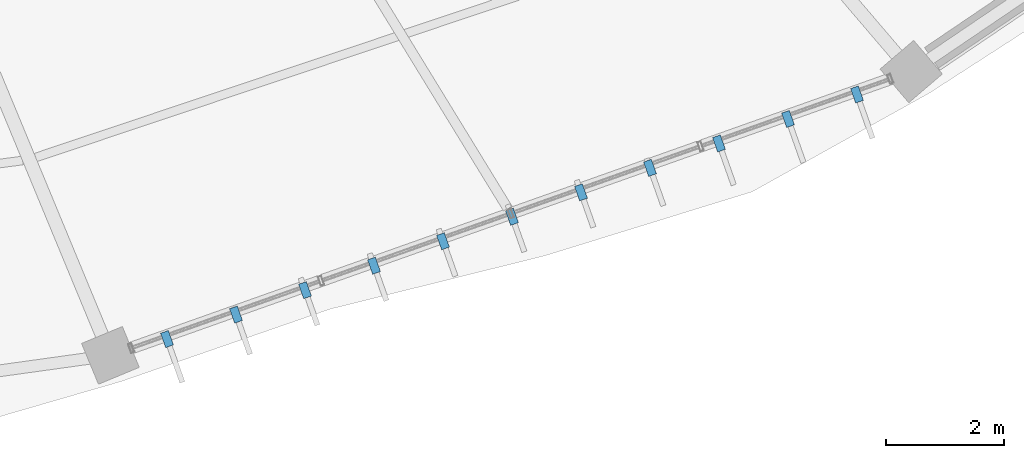
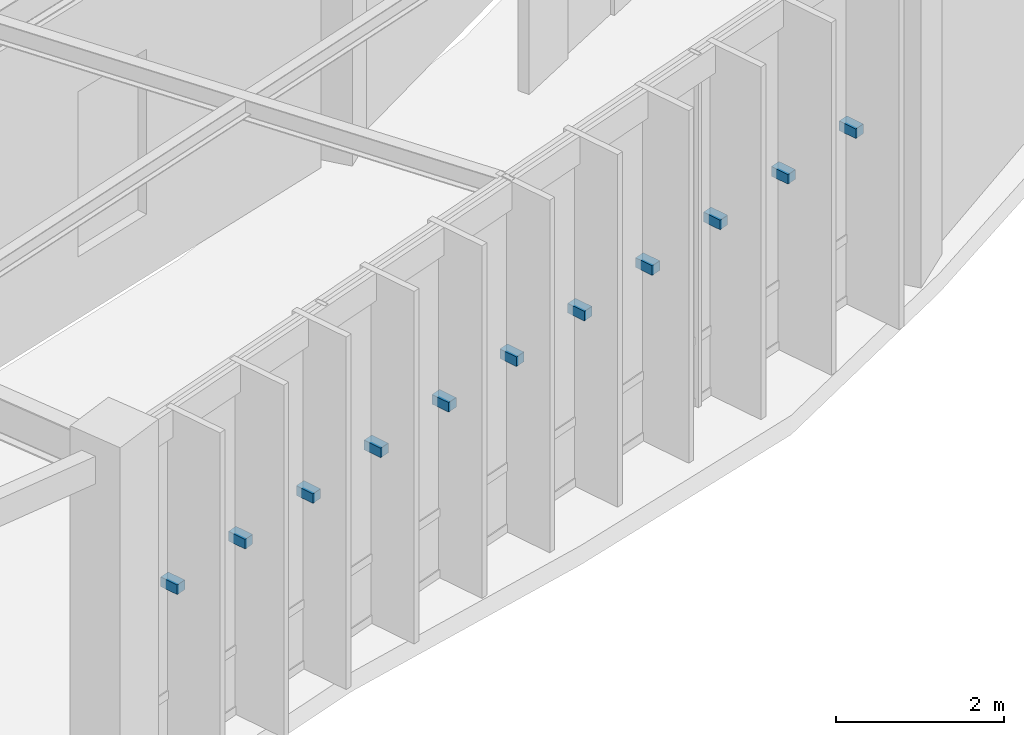
# One storey, part 140 of 157: 11 discrete accessories.
"""IFC4 building model written with IfcOpenShell, lengths in metres."""

from ifc_helpers import new_model, si_unit, direction, frame, origin, origin_2d, place, context, subcontext, project, spatial, rectangle, extrude, material, type_object, element, save


model = new_model("IFC4")

# Units and contexts
model_context = context("Model", 3, precision=1e-05, world=origin(), true_north=direction((0.0, 1.0)))
body_context = subcontext(model_context, "Body", "Model", "MODEL_VIEW")
ifc_project = project(units=[si_unit("LENGTHUNIT", "METRE"), si_unit("AREAUNIT", "SQUARE_METRE"), si_unit("VOLUMEUNIT", "CUBIC_METRE"), si_unit("PLANEANGLEUNIT", "RADIAN"), si_unit("MASSUNIT", "GRAM", prefix="KILO"), si_unit("THERMODYNAMICTEMPERATUREUNIT", "KELVIN"), si_unit("POWERUNIT", "WATT")], contexts=[model_context])

# Site, building, storey
site_placement = place(None, origin())
site = spatial("IfcSite", under=ifc_project, at=site_placement, CompositionType="ELEMENT")
building_placement = place(site_placement, origin())
building = spatial("IfcBuilding", under=site, at=building_placement, Name="Darbajah Civic Hall", CompositionType="ELEMENT")
storey_placement = place(building_placement, origin())
storey = spatial("IfcBuildingStorey", under=building, at=storey_placement, Name="L00", CompositionType="ELEMENT", Elevation=0.0)

# Discrete accessories
ifc_material = material(Name="Stainless Steel S355JR", Category="steel")
discrete_accessory_type = type_object("IfcDiscreteAccessoryType", Name="Stainless Facade Support Bracket", PredefinedType="BRACKET", material=ifc_material)
for number, where, z_axis, x_axis, name in (
    (1, (109.578369140625, 62.82275390625, 2.490234375), (0.0, 0.0, 1.0), (0.334135882844, -0.94252491309, 0.0), "L00 shading fin bracket 16-1"),
    (2, (110.75048828125, 63.23828125, 2.490234375), (0.0, 0.0, 1.0), (0.334135882844, -0.94252491309, 0.0), "L00 shading fin bracket 16-2"),
    (3, (111.9228515625, 63.65380859375, 2.490234375), (0.0, 0.0, 1.0), (0.334135882844, -0.94252491309, 0.0), "L00 shading fin bracket 16-3"),
    (4, (113.094970703125, 64.0693359375, 2.490234375), (0.0, 0.0, 1.0), (0.334135882844, -0.94252491309, 0.0), "L00 shading fin bracket 16-4"),
    (5, (114.26708984375, 64.48486328125, 2.490234375), (0.0, 0.0, 1.0), (0.334135882844, -0.94252491309, 0.0), "L00 shading fin bracket 16-5"),
    (6, (115.439453125, 64.900146484375, 2.490234375), (0.0, 0.0, 1.0), (0.334135882844, -0.94252491309, 0.0), "L00 shading fin bracket 16-6"),
    (7, (116.61181640625, 65.315673828125, 2.490234375), (0.0, 0.0, 1.0), (0.334135882844, -0.94252491309, 0.0), "L00 shading fin bracket 16-7"),
    (8, (117.783935546875, 65.731201171875, 2.490234375), (0.0, 0.0, 1.0), (0.334135882844, -0.94252491309, 0.0), "L00 shading fin bracket 16-8"),
    (9, (118.9560546875, 66.146728515625, 2.490234375), (0.0, 0.0, 1.0), (0.334135882844, -0.94252491309, 0.0), "L00 shading fin bracket 16-9"),
    (10, (120.12841796875, 66.562255859375, 2.490234375), (0.0, 0.0, 1.0), (0.334135882844, -0.94252491309, 0.0), "L00 shading fin bracket 16-10"),
    (11, (121.300537109375, 66.977783203125, 2.490234375), (0.0, 0.0, 1.0), (0.334135882844, -0.94252491309, 0.0), "L00 shading fin bracket 16-11"),
):
    element("IfcDiscreteAccessory", number, at=place(storey_placement, frame(where, z_axis=z_axis, x_axis=x_axis)), inside=storey, type_object=discrete_accessory_type, Name=name, PredefinedType="BRACKET", context=body_context, shape_type="SweptSolid", body=[
        extrude(rectangle(XDim=0.260009765625, YDim=0.139892578125, at=origin_2d()), origin(), (0.0, 0.0, 1.0), 0.139892578125),
    ])

save(model, "model.ifc")
